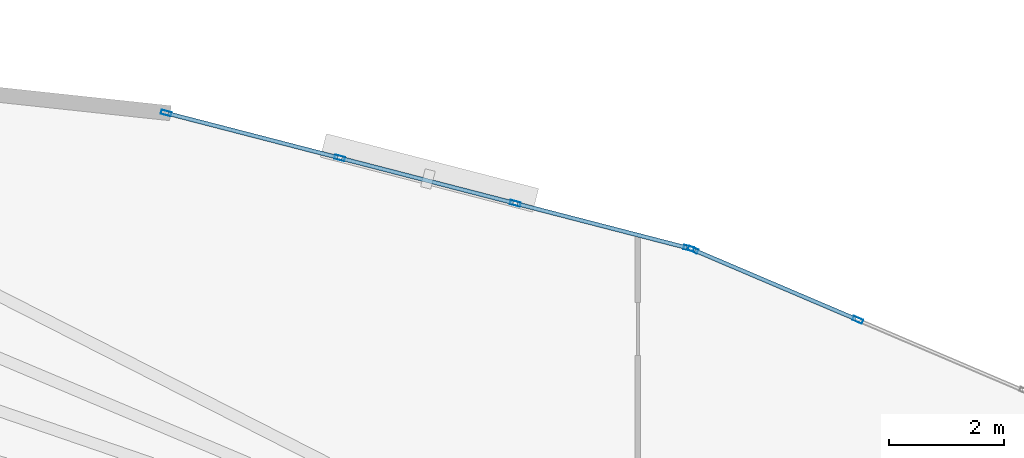
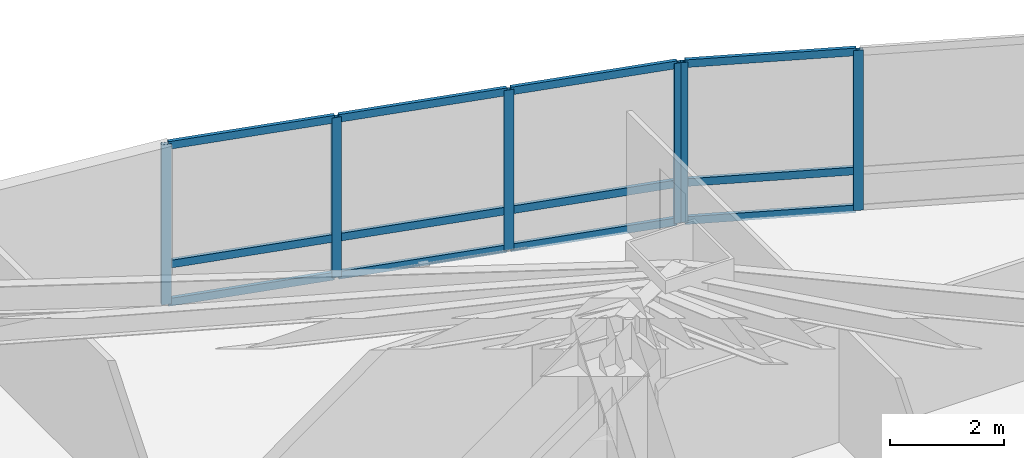
# One storey, part 10 of 20: 18 members, 2 elements without a shape of their own.
"""IFC4 building model written with IfcOpenShell, lengths in metres."""

from ifc_helpers import new_model, si_unit, direction, frame, origin, origin_2d, place, context, subcontext, project, spatial, hollow_rectangle, extrude, material, layer, layer_set, material_profile, profile_set, type_object, element, aggregate, save


model = new_model("IFC4")

# Units and contexts
model_context = context("Model", 3, precision=1e-05, world=origin(), true_north=direction((0.0, 1.0)))
body_context = subcontext(model_context, "Body", "Model", "MODEL_VIEW")
ifc_project = project(units=[si_unit("LENGTHUNIT", "METRE"), si_unit("AREAUNIT", "SQUARE_METRE"), si_unit("VOLUMEUNIT", "CUBIC_METRE"), si_unit("PLANEANGLEUNIT", "RADIAN"), si_unit("MASSUNIT", "GRAM", prefix="KILO")], contexts=[model_context])

# Site, building, storey
site_placement = place(None, origin())
site = spatial("IfcSite", under=ifc_project, at=site_placement, CompositionType="ELEMENT")
building_placement = place(site_placement, origin())
building = spatial("IfcBuilding", under=site, at=building_placement, Name="Menara Vayukalpa", CompositionType="ELEMENT")
storey_placement = place(building_placement, frame((0.0, 0.0, 64.800048828125)))
storey = spatial("IfcBuildingStorey", under=building, at=storey_placement, Name="L15", CompositionType="ELEMENT", Elevation=64.800048828125)

# Curtain wall, members
ifc_material_1 = material(Name="Anodised Terracotta Aluminium Alloy 6063-T6", Category="masonry")
ifc_layer = layer(ifc_material_1, 0.179931640625)
ifc_layer_set = layer_set([ifc_layer], Name="Anodised Terracotta Aluminium Alloy 6063-T6")
curtain_wall_type = type_object("IfcCurtainWallType", Name="CW-CW4", PredefinedType="USERDEFINED", material=ifc_layer_set)
curtain_wall_1_placement = place(storey_placement, origin())
curtain_wall_1 = element("IfcCurtainWall", 1, at=curtain_wall_1_placement, inside=storey, type_object=curtain_wall_type, Name="L15 Sky Bar Cantilever Glazed Curtain Wall CW4 04", ObjectType="UNITISED", PredefinedType="USERDEFINED")
ifc_material_2 = material(Name="Anodised Terracotta Aluminium Alloy 6063-T6", Category="masonry")
ifc_material_profile_1 = material_profile(ifc_material_2, hollow_rectangle(XDim=0.074951171875, YDim=0.179931640625, WallThickness=0.00390625, at=origin_2d()), Name="ALU 75x180x4")
ifc_profile_set_1 = profile_set([ifc_material_profile_1], Name="Anodised Terracotta Aluminium Alloy 6063-T6")
member_type_1 = type_object("IfcMemberType", Name="CWM-CW4", PredefinedType="MULLION", material=ifc_profile_set_1)
member_1_placement = place(storey_placement, frame((41.3125, 31.973388671875, 0.0), z_axis=(0.0, 0.0, 1.0), x_axis=(-0.392008132718, -0.919961751315, 0.0)))
member_1 = element("IfcMember", 2, at=member_1_placement, type_object=member_type_1, Name="CW4 mullion 3", PredefinedType="MULLION", context=body_context, shape_type="SweptSolid", body=[
    extrude(hollow_rectangle(XDim=0.074951171875, YDim=0.179931640625, WallThickness=0.00390625, at=origin_2d()), origin(), (0.0, 0.0, 1.0), 3.43994140625),
])
member_2_placement = place(storey_placement, frame((38.45458984375, 33.19140625, 0.0), z_axis=(0.0, 0.0, 1.0), x_axis=(-0.392008132718, -0.919961751315, 0.0)))
member_2 = element("IfcMember", 3, at=member_2_placement, type_object=member_type_1, Name="CW4 mullion 4", PredefinedType="MULLION", context=body_context, shape_type="SweptSolid", body=[
    extrude(hollow_rectangle(XDim=0.074951171875, YDim=0.179931640625, WallThickness=0.00390625, at=origin_2d()), origin(), (0.0, 0.0, 1.0), 3.43994140625),
])

curtain_wall_2_placement = place(storey_placement, origin())
curtain_wall_2 = element("IfcCurtainWall", 4, at=curtain_wall_2_placement, inside=storey, type_object=curtain_wall_type, Name="L15 Sky Bar Cantilever Glazed Curtain Wall CW4 05", ObjectType="UNITISED", PredefinedType="USERDEFINED")
member_3_placement = place(storey_placement, frame((38.3837890625, 33.21533203125, 0.0), z_axis=(0.0, 0.0, 1.0), x_axis=(-0.25040286747, -0.968141727209, 0.0)))
member_3 = element("IfcMember", 5, at=member_3_placement, type_object=member_type_1, Name="CW4 mullion 1", PredefinedType="MULLION", context=body_context, shape_type="SweptSolid", body=[
    extrude(hollow_rectangle(XDim=0.074951171875, YDim=0.179931640625, WallThickness=0.00390625, at=origin_2d()), origin(), (0.0, 0.0, 1.0), 3.43994140625),
])
member_4_placement = place(storey_placement, frame((35.376220703125, 33.993408203125, 0.0), z_axis=(0.0, 0.0, 1.0), x_axis=(-0.25040286747, -0.968141727209, 0.0)))
member_4 = element("IfcMember", 6, at=member_4_placement, type_object=member_type_1, Name="CW4 mullion 2", PredefinedType="MULLION", context=body_context, shape_type="SweptSolid", body=[
    extrude(hollow_rectangle(XDim=0.074951171875, YDim=0.179931640625, WallThickness=0.00390625, at=origin_2d()), origin(), (0.0, 0.0, 1.0), 3.43994140625),
])
member_5_placement = place(storey_placement, frame((32.332275390625, 34.780517578125, 0.0), z_axis=(0.0, 0.0, 1.0), x_axis=(-0.25040286747, -0.968141727209, 0.0)))
member_5 = element("IfcMember", 7, at=member_5_placement, type_object=member_type_1, Name="CW4 mullion 3", PredefinedType="MULLION", context=body_context, shape_type="SweptSolid", body=[
    extrude(hollow_rectangle(XDim=0.074951171875, YDim=0.179931640625, WallThickness=0.00390625, at=origin_2d()), origin(), (0.0, 0.0, 1.0), 3.43994140625),
])
member_6_placement = place(storey_placement, frame((29.324462890625, 35.55859375, 0.0), z_axis=(0.0, 0.0, 1.0), x_axis=(-0.25040286747, -0.968141727209, 0.0)))
member_6 = element("IfcMember", 8, at=member_6_placement, type_object=member_type_1, Name="CW4 mullion 4", PredefinedType="MULLION", context=body_context, shape_type="SweptSolid", body=[
    extrude(hollow_rectangle(XDim=0.074951171875, YDim=0.179931640625, WallThickness=0.00390625, at=origin_2d()), origin(), (0.0, 0.0, 1.0), 3.43994140625),
])

# Member
ifc_material_3 = material(Name="Anodised Terracotta Aluminium Alloy 6063-T6", Category="masonry")
ifc_material_profile_2 = material_profile(ifc_material_3, hollow_rectangle(XDim=0.070068359375, YDim=0.1650390625, WallThickness=0.00390625, at=origin_2d()), Name="ALU 70x165x4")
ifc_profile_set_2 = profile_set([ifc_material_profile_2], Name="Anodised Terracotta Aluminium Alloy 6063-T6")
member_type_2 = type_object("IfcMemberType", Name="CWT-CW4", PredefinedType="USERDEFINED", material=ifc_profile_set_2)
member_7_placement = place(storey_placement, frame((41.278076171875, 31.98828125, 0.034912109375), z_axis=(-0.919988490059, 0.391945376498, 0.0), x_axis=(-0.391945376498, -0.919988490059, 0.0)))
member_7 = element("IfcMember", 9, at=member_7_placement, type_object=member_type_2, Name="CW4 transom 3.1", ObjectType="TRANSOM", PredefinedType="USERDEFINED", context=body_context, shape_type="SweptSolid", body=[
    extrude(hollow_rectangle(XDim=0.070068359375, YDim=0.1650390625, WallThickness=0.00390625, at=origin_2d()), origin(), (0.0, 0.0, 1.0), 3.03173828125),
])

member_8_placement = place(storey_placement, frame((41.278076171875, 31.98828125, 0.849853515625), z_axis=(-0.919988490059, 0.391945376498, 0.0), x_axis=(-0.391945376498, -0.919988490059, 0.0)))
member_8 = element("IfcMember", 10, at=member_8_placement, type_object=member_type_2, Name="CW4 transom 3.2", ObjectType="TRANSOM", PredefinedType="USERDEFINED", context=body_context, shape_type="SweptSolid", body=[
    extrude(hollow_rectangle(XDim=0.070068359375, YDim=0.1650390625, WallThickness=0.00390625, at=origin_2d()), origin(), (0.0, 0.0, 1.0), 3.03173828125),
])

member_9_placement = place(storey_placement, frame((41.278076171875, 31.98828125, 3.405029296875), z_axis=(-0.919988490059, 0.391945376498, 0.0), x_axis=(-0.391945376498, -0.919988490059, 0.0)))
member_9 = element("IfcMember", 11, at=member_9_placement, type_object=member_type_2, Name="CW4 transom 3.3", ObjectType="TRANSOM", PredefinedType="USERDEFINED", context=body_context, shape_type="SweptSolid", body=[
    extrude(hollow_rectangle(XDim=0.070068359375, YDim=0.1650390625, WallThickness=0.00390625, at=origin_2d()), origin(), (0.0, 0.0, 1.0), 3.03173828125),
])

aggregate(curtain_wall_1, [member_1, member_2, member_7, member_8, member_9])

member_10_placement = place(storey_placement, frame((38.347412109375, 33.224853515625, 0.034912109375), z_axis=(-0.968149604166, 0.250372410527, 0.0), x_axis=(-0.250372410527, -0.968149604166, 0.0)))
member_10 = element("IfcMember", 12, at=member_10_placement, type_object=member_type_2, Name="CW4 transom 1.1", ObjectType="TRANSOM", PredefinedType="USERDEFINED", context=body_context, shape_type="SweptSolid", body=[
    extrude(hollow_rectangle(XDim=0.070068359375, YDim=0.1650390625, WallThickness=0.00390625, at=origin_2d()), origin(), (0.0, 0.0, 1.0), 3.03173828125),
])

member_11_placement = place(storey_placement, frame((38.347412109375, 33.224853515625, 0.849853515625), z_axis=(-0.968149604166, 0.250372410527, 0.0), x_axis=(-0.250372410527, -0.968149604166, 0.0)))
member_11 = element("IfcMember", 13, at=member_11_placement, type_object=member_type_2, Name="CW4 transom 1.2", ObjectType="TRANSOM", PredefinedType="USERDEFINED", context=body_context, shape_type="SweptSolid", body=[
    extrude(hollow_rectangle(XDim=0.070068359375, YDim=0.1650390625, WallThickness=0.00390625, at=origin_2d()), origin(), (0.0, 0.0, 1.0), 3.03173828125),
])

member_12_placement = place(storey_placement, frame((38.347412109375, 33.224853515625, 3.405029296875), z_axis=(-0.968149604166, 0.250372410527, 0.0), x_axis=(-0.250372410527, -0.968149604166, 0.0)))
member_12 = element("IfcMember", 14, at=member_12_placement, type_object=member_type_2, Name="CW4 transom 1.3", ObjectType="TRANSOM", PredefinedType="USERDEFINED", context=body_context, shape_type="SweptSolid", body=[
    extrude(hollow_rectangle(XDim=0.070068359375, YDim=0.1650390625, WallThickness=0.00390625, at=origin_2d()), origin(), (0.0, 0.0, 1.0), 3.03173828125),
])

member_13_placement = place(storey_placement, frame((35.33984375, 34.002685546875, 0.034912109375), z_axis=(-0.968140594701, 0.250407246086, 0.0), x_axis=(-0.250407246086, -0.968140594701, 0.0)))
member_13 = element("IfcMember", 15, at=member_13_placement, type_object=member_type_2, Name="CW4 transom 2.1", ObjectType="TRANSOM", PredefinedType="USERDEFINED", context=body_context, shape_type="SweptSolid", body=[
    extrude(hollow_rectangle(XDim=0.070068359375, YDim=0.1650390625, WallThickness=0.00390625, at=origin_2d()), origin(), (0.0, 0.0, 1.0), 3.0693359375),
])

member_14_placement = place(storey_placement, frame((35.33984375, 34.002685546875, 0.849853515625), z_axis=(-0.968140594701, 0.250407246086, 0.0), x_axis=(-0.250407246086, -0.968140594701, 0.0)))
member_14 = element("IfcMember", 16, at=member_14_placement, type_object=member_type_2, Name="CW4 transom 2.2", ObjectType="TRANSOM", PredefinedType="USERDEFINED", context=body_context, shape_type="SweptSolid", body=[
    extrude(hollow_rectangle(XDim=0.070068359375, YDim=0.1650390625, WallThickness=0.00390625, at=origin_2d()), origin(), (0.0, 0.0, 1.0), 3.0693359375),
])

member_15_placement = place(storey_placement, frame((35.33984375, 34.002685546875, 3.405029296875), z_axis=(-0.968140594701, 0.250407246086, 0.0), x_axis=(-0.250407246086, -0.968140594701, 0.0)))
member_15 = element("IfcMember", 17, at=member_15_placement, type_object=member_type_2, Name="CW4 transom 2.3", ObjectType="TRANSOM", PredefinedType="USERDEFINED", context=body_context, shape_type="SweptSolid", body=[
    extrude(hollow_rectangle(XDim=0.070068359375, YDim=0.1650390625, WallThickness=0.00390625, at=origin_2d()), origin(), (0.0, 0.0, 1.0), 3.0693359375),
])

member_16_placement = place(storey_placement, frame((32.2958984375, 34.7900390625, 0.034912109375), z_axis=(-0.968149604166, 0.250372410527, 0.0), x_axis=(-0.250372410527, -0.968149604166, 0.0)))
member_16 = element("IfcMember", 18, at=member_16_placement, type_object=member_type_2, Name="CW4 transom 3.1", ObjectType="TRANSOM", PredefinedType="USERDEFINED", context=body_context, shape_type="SweptSolid", body=[
    extrude(hollow_rectangle(XDim=0.070068359375, YDim=0.1650390625, WallThickness=0.00390625, at=origin_2d()), origin(), (0.0, 0.0, 1.0), 3.03173828125),
])

member_17_placement = place(storey_placement, frame((32.2958984375, 34.7900390625, 0.849853515625), z_axis=(-0.968149604166, 0.250372410527, 0.0), x_axis=(-0.250372410527, -0.968149604166, 0.0)))
member_17 = element("IfcMember", 19, at=member_17_placement, type_object=member_type_2, Name="CW4 transom 3.2", ObjectType="TRANSOM", PredefinedType="USERDEFINED", context=body_context, shape_type="SweptSolid", body=[
    extrude(hollow_rectangle(XDim=0.070068359375, YDim=0.1650390625, WallThickness=0.00390625, at=origin_2d()), origin(), (0.0, 0.0, 1.0), 3.03173828125),
])

member_18_placement = place(storey_placement, frame((32.2958984375, 34.7900390625, 3.405029296875), z_axis=(-0.968149604166, 0.250372410527, 0.0), x_axis=(-0.250372410527, -0.968149604166, 0.0)))
member_18 = element("IfcMember", 20, at=member_18_placement, type_object=member_type_2, Name="CW4 transom 3.3", ObjectType="TRANSOM", PredefinedType="USERDEFINED", context=body_context, shape_type="SweptSolid", body=[
    extrude(hollow_rectangle(XDim=0.070068359375, YDim=0.1650390625, WallThickness=0.00390625, at=origin_2d()), origin(), (0.0, 0.0, 1.0), 3.03173828125),
])

aggregate(curtain_wall_2, [member_3, member_4, member_5, member_6, member_10, member_11, member_12, member_13, member_14, member_15, member_16, member_17, member_18])

save(model, "model.ifc")
